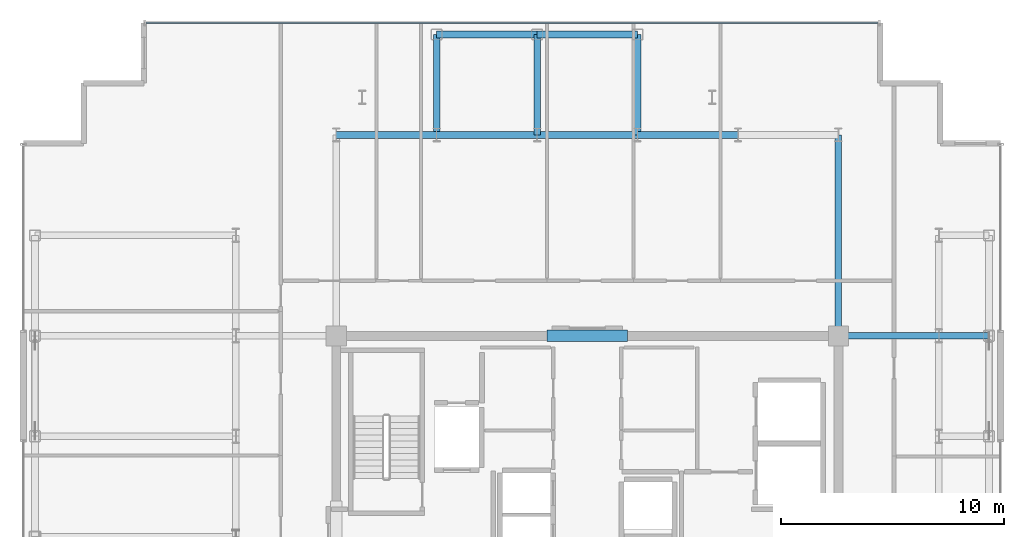
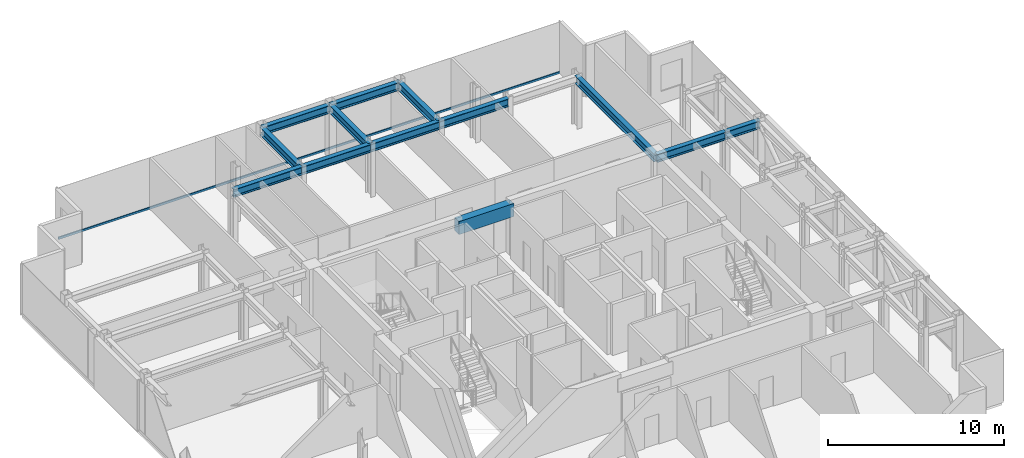
# One storey, part 8 of 16: 13 beams, 1 member, 1 element without a shape of its own.
"""IFC4 building model written with IfcOpenShell, lengths in metres."""

from ifc_helpers import new_model, si_unit, direction, frame, origin, origin_2d, place, context, subcontext, project, spatial, rectangle, hollow_rectangle, i_section, extrude, source, transform, mapped, material, layer, layer_set, material_profile, profile_set, type_object, element, aggregate, save


model = new_model("IFC4")

# Units and contexts
model_context = context("Model", 3, precision=1e-05, world=origin(), true_north=direction((0.0, 1.0)))
body_context = subcontext(model_context, "Body", "Model", "MODEL_VIEW")
ifc_project = project(units=[si_unit("LENGTHUNIT", "METRE"), si_unit("AREAUNIT", "SQUARE_METRE"), si_unit("VOLUMEUNIT", "CUBIC_METRE"), si_unit("PLANEANGLEUNIT", "RADIAN"), si_unit("MASSUNIT", "GRAM", prefix="KILO")], contexts=[model_context])

# Site, building, storey
site_placement = place(None, origin())
site = spatial("IfcSite", under=ifc_project, at=site_placement, CompositionType="ELEMENT")
building_placement = place(site_placement, origin())
building = spatial("IfcBuilding", under=site, at=building_placement, Name="Nefas-Gora Pilgrimage Tower", CompositionType="ELEMENT")
storey_placement = place(building_placement, frame((0.0, 0.0, 333.800048828125)))
storey = spatial("IfcBuildingStorey", under=building, at=storey_placement, Name="L84", CompositionType="ELEMENT", Elevation=333.800048828125)

# Beams
ifc_material_1 = material(Name="Concrete C50/60", Category="concrete")
ifc_material_profile_1 = material_profile(ifc_material_1, rectangle(XDim=0.5, YDim=0.89990234375, at=origin_2d()), Name="RC 500x900")
ifc_profile_set_1 = profile_set([ifc_material_profile_1], Name="Concrete C50/60")
beam_type_1 = type_object("IfcBeamType", Name="BM-LIN-RC900", PredefinedType="LINTEL", material=ifc_profile_set_1)
shared_shape_1 = source(origin(), body_context, "Body", "SweptSolid", [
    extrude(rectangle(XDim=0.5, YDim=0.89990234375, at=origin_2d()), origin(), (0.0, 0.0, 1.0), 3.60009765625),
])
beam_1_placement = place(storey_placement, frame((-1.800048828125, 9.0, 3.099853515625), z_axis=(1.0, 0.0, 0.0), x_axis=(0.0, 1.0, 0.0)))
element("IfcBeam", 1, at=beam_1_placement, inside=storey, type_object=beam_type_1, Name="L84 Core Coupling Lintel Beam N", PredefinedType="LINTEL", context=body_context, shape_type="MappedRepresentation", body=[
    mapped(shared_shape_1, transform((0.0, 0.0, 0.0), x_axis=(1.0, 0.0, 0.0), y_axis=(0.0, 1.0, 0.0), z_axis=(0.0, 0.0, 1.0), scale=1.0)),
])
ifc_material_2 = material(Name="Steel S355", Category="steel")
ifc_material_profile_2 = material_profile(ifc_material_2, i_section(OverallWidth=0.300048828125, OverallDepth=0.550048828125, WebThickness=0.014892578125, FlangeThickness=0.029052734375, FilletRadius=0.027099609375, at=origin_2d()), Name="HEB 550")
ifc_profile_set_2 = profile_set([ifc_material_profile_2], Name="Steel S355")
beam_type_2 = type_object("IfcBeamType", Name="BM-SPN-HEB400", PredefinedType="SPANDREL", material=ifc_profile_set_2)
shared_shape_2 = source(origin(), body_context, "Body", "SweptSolid", [
    extrude(i_section(OverallWidth=0.300048828125, OverallDepth=0.550048828125, WebThickness=0.014892578125, FlangeThickness=0.029052734375, FilletRadius=0.027099609375, at=origin_2d()), origin(), (0.0, 0.0, 1.0), 4.5),
])
for number, where, z_axis, x_axis, name in (
    (2, (-6.75, 22.5, 3.27490234375), (1.0, 0.0, 0.0), (0.0, 1.0, 0.0), "L84 SP-04 beam"),
    (3, (-2.25, 22.5, 3.27490234375), (1.0, 0.0, 0.0), (0.0, 1.0, 0.0), "L84 SP-04 beam"),
):
    element("IfcBeam", number, at=place(storey_placement, frame(where, z_axis=z_axis, x_axis=x_axis)), inside=storey, type_object=beam_type_2, Name=name, PredefinedType="SPANDREL", context=body_context, shape_type="MappedRepresentation", body=[
        mapped(shared_shape_2, transform((0.0, 0.0, 0.0), x_axis=(1.0, 0.0, 0.0), y_axis=(0.0, 1.0, 0.0), z_axis=(0.0, 0.0, 1.0), scale=1.0)),
    ])
ifc_material_profile_3 = material_profile(ifc_material_2, i_section(OverallWidth=0.300048828125, OverallDepth=0.550048828125, WebThickness=0.014892578125, FlangeThickness=0.029052734375, FilletRadius=0.027099609375, at=origin_2d()), Name="HEB 550")
ifc_profile_set_3 = profile_set([ifc_material_profile_3], Name="Steel S355")
beam_type_3 = type_object("IfcBeamType", Name="BM-GIR-HEB550", PredefinedType="BEAM", material=ifc_profile_set_3)
shared_shape_3 = source(origin(), body_context, "Body", "SweptSolid", [
    extrude(i_section(OverallWidth=0.300048828125, OverallDepth=0.550048828125, WebThickness=0.014892578125, FlangeThickness=0.029052734375, FilletRadius=0.027099609375, at=origin_2d()), origin(), (0.0, 0.0, 1.0), 9.0),
])
beam_2_placement = place(storey_placement, frame((11.25, 9.0, 3.27490234375), z_axis=(0.0, 1.0, 0.0), x_axis=(-1.0, 0.0, 0.0)))
element("IfcBeam", 4, at=beam_2_placement, inside=storey, type_object=beam_type_3, Name="L84 G-05 beam", PredefinedType="BEAM", context=body_context, shape_type="MappedRepresentation", body=[
    mapped(shared_shape_3, transform((0.0, 0.0, 0.0), x_axis=(1.0, 0.0, 0.0), y_axis=(0.0, 1.0, 0.0), z_axis=(0.0, 0.0, 1.0), scale=1.0)),
])
shared_shape_4 = source(origin(), body_context, "Body", "SweptSolid", [
    extrude(i_section(OverallWidth=0.300048828125, OverallDepth=0.550048828125, WebThickness=0.014892578125, FlangeThickness=0.029052734375, FilletRadius=0.027099609375, at=origin_2d()), origin(), (0.0, 0.0, 1.0), 4.5),
])
for number, where, z_axis, x_axis, name in (
    (5, (-11.25, 18.0, 3.27490234375), (1.0, 0.0, 0.0), (0.0, 1.0, 0.0), "L84 G-05 beam"),
    (6, (-6.75, 18.0, 3.27490234375), (0.0, 1.0, 0.0), (-1.0, 0.0, 0.0), "L84 G-05 beam"),
    (7, (-6.75, 18.0, 3.27490234375), (1.0, 0.0, 0.0), (0.0, 1.0, 0.0), "L84 G-05 beam"),
    (8, (-2.25, 18.0, 3.27490234375), (0.0, 1.0, 0.0), (-1.0, 0.0, 0.0), "L84 G-05 beam"),
    (9, (-2.25, 18.0, 3.27490234375), (1.0, 0.0, 0.0), (0.0, 1.0, 0.0), "L84 G-05 beam"),
    (10, (2.25, 18.0, 3.27490234375), (0.0, 1.0, 0.0), (-1.0, 0.0, 0.0), "L84 G-05 beam"),
    (11, (2.25, 18.0, 3.27490234375), (1.0, 0.0, 0.0), (0.0, 1.0, 0.0), "L84 G-05 beam"),
    (12, (11.25, 9.0, 3.27490234375), (1.0, 0.0, 0.0), (0.0, 1.0, 0.0), "L84 G-05 beam"),
):
    element("IfcBeam", number, at=place(storey_placement, frame(where, z_axis=z_axis, x_axis=x_axis)), inside=storey, type_object=beam_type_3, Name=name, PredefinedType="BEAM", context=body_context, shape_type="MappedRepresentation", body=[
        mapped(shared_shape_4, transform((0.0, 0.0, 0.0), x_axis=(1.0, 0.0, 0.0), y_axis=(0.0, 1.0, 0.0), z_axis=(0.0, 0.0, 1.0), scale=1.0)),
    ])
shared_shape_5 = source(origin(), body_context, "Body", "SweptSolid", [
    extrude(i_section(OverallWidth=0.300048828125, OverallDepth=0.550048828125, WebThickness=0.014892578125, FlangeThickness=0.029052734375, FilletRadius=0.027099609375, at=origin_2d()), origin(), (0.0, 0.0, 1.0), 2.25),
])
beam_3_placement = place(storey_placement, frame((15.75, 9.0, 3.27490234375), z_axis=(1.0, 0.0, 0.0), x_axis=(0.0, 1.0, 0.0)))
element("IfcBeam", 13, at=beam_3_placement, inside=storey, type_object=beam_type_3, Name="L84 G-05 beam", PredefinedType="BEAM", context=body_context, shape_type="MappedRepresentation", body=[
    mapped(shared_shape_5, transform((0.0, 0.0, 0.0), x_axis=(1.0, 0.0, 0.0), y_axis=(0.0, 1.0, 0.0), z_axis=(0.0, 0.0, 1.0), scale=1.0)),
])

# Curtain wall, member
ifc_material_3 = material(Name="Dark ceramic-fritted solar-control aluminium-glass curtain wall", Category="aluminium")
ifc_layer = layer(ifc_material_3, 0.219970703125)
ifc_layer_set = layer_set([ifc_layer], Name="Dark ceramic-fritted solar-control aluminium-glass curtain wall")
curtain_wall_type = type_object("IfcCurtainWallType", Name="CW-SYS-4", PredefinedType="NOTDEFINED", material=ifc_layer_set)
curtain_wall_placement = place(storey_placement, origin())
curtain_wall = element("IfcCurtainWall", 14, at=curtain_wall_placement, inside=storey, type_object=curtain_wall_type, Name="L84 Unitised Curtain Wall CW4", PredefinedType="NOTDEFINED")
ifc_material_4 = material(Name="Anodised architectural aluminium", Category="aluminium")
ifc_material_profile_4 = material_profile(ifc_material_4, hollow_rectangle(XDim=0.080078125, YDim=0.159912109375, WallThickness=0.00439453125, InnerFilletRadius=0.00439453125, OuterFilletRadius=0.009033203125, at=origin_2d()), Name="ALU TRANSOM 80x160")
ifc_profile_set_4 = profile_set([ifc_material_profile_4], Name="Anodised architectural aluminium")
member_type = type_object("IfcMemberType", Name="CWM-TRN-4", PredefinedType="USERDEFINED", material=ifc_profile_set_4)
shared_shape_6 = source(origin(), body_context, "Body", "SweptSolid", [
    extrude(hollow_rectangle(XDim=0.080078125, YDim=0.159912109375, WallThickness=0.00439453125, InnerFilletRadius=0.00439453125, OuterFilletRadius=0.009033203125, at=origin_2d()), origin(), (0.0, 0.0, 1.0), 32.81005859375),
])
member_placement = place(storey_placement, frame((13.030029296875, 23.02001953125, 0.050048828125), z_axis=(-1.0, 0.0, 0.0), x_axis=(0.0, -1.0, 0.0)))
member = element("IfcMember", 15, at=member_placement, type_object=member_type, Name="CW4 Spandrel Transom", ObjectType="TRANSOM", PredefinedType="USERDEFINED", context=body_context, shape_type="MappedRepresentation", body=[
    mapped(shared_shape_6, transform((0.0, 0.0, 0.0), x_axis=(1.0, 0.0, 0.0), y_axis=(0.0, 1.0, 0.0), z_axis=(0.0, 0.0, 1.0), scale=1.0)),
])
aggregate(curtain_wall, [member])

save(model, "model.ifc")
